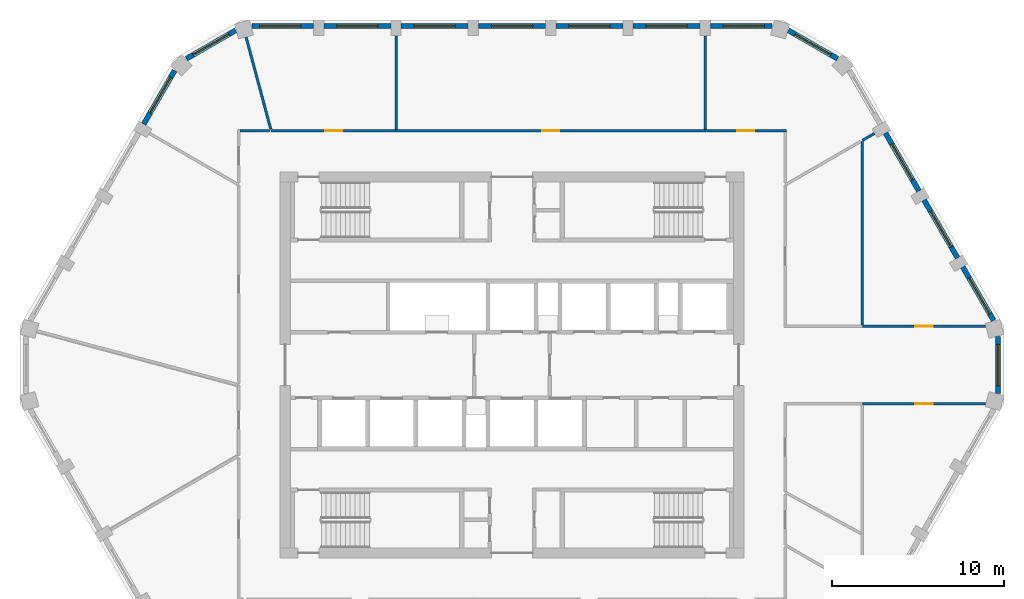
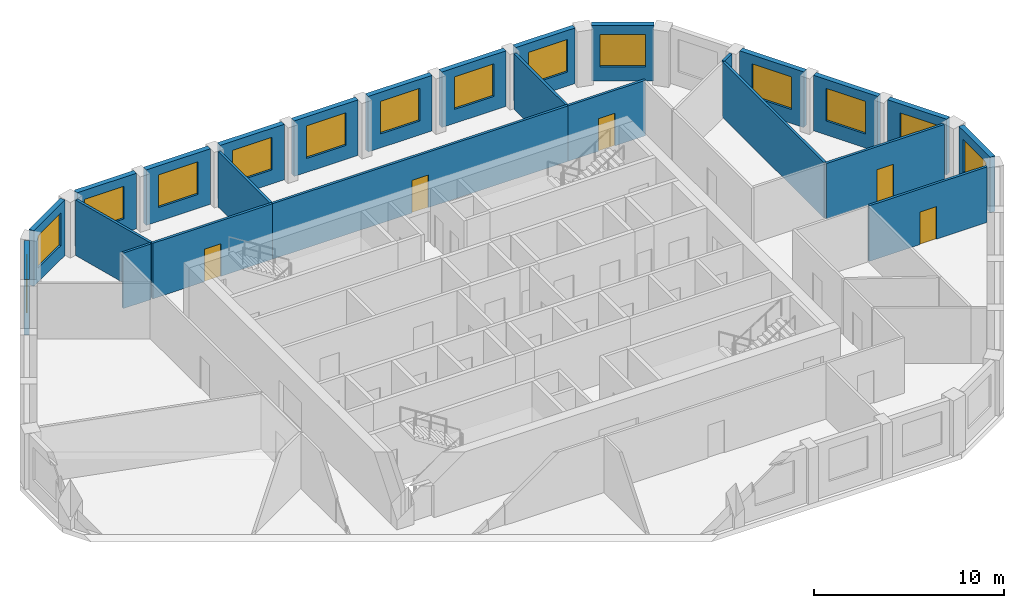
# One storey, part 6 of 9: 25 walls, 14 windows, 5 doors, 19 openings.
"""IFC4 building model written with IfcOpenShell, lengths in metres."""

from ifc_helpers import new_model, si_unit, direction, frame, frame_2d, origin, place, context, subcontext, project, spatial, rectangle, extrude, material, layer, layer_set, type_object, element, fill, save


model = new_model("IFC4")

# Units and contexts
model_context = context("Model", 3, precision=1e-05, world=origin(), true_north=direction((0.0, 1.0)))
body_context = subcontext(model_context, "Body", "Model", "MODEL_VIEW")
ifc_project = project(units=[si_unit("LENGTHUNIT", "METRE"), si_unit("AREAUNIT", "SQUARE_METRE"), si_unit("VOLUMEUNIT", "CUBIC_METRE"), si_unit("PLANEANGLEUNIT", "RADIAN"), si_unit("MASSUNIT", "GRAM", prefix="KILO")], contexts=[model_context])

# Site, building, storey
site_placement = place(None, origin())
site = spatial("IfcSite", under=ifc_project, at=site_placement, CompositionType="ELEMENT")
building_placement = place(site_placement, origin())
building = spatial("IfcBuilding", under=site, at=building_placement, Name="Dhurran Vertical Campus", CompositionType="ELEMENT")
storey_placement = place(building_placement, frame((0.0, 0.0, 290.39990234375)))
storey = spatial("IfcBuildingStorey", under=building, at=storey_placement, Name="L72", CompositionType="ELEMENT", Elevation=290.39990234375)

# Wall, opening, window
ifc_material_1 = material(Name="Precast concrete C50/60", Category="concrete")
ifc_layer_1 = layer(ifc_material_1, 0.300048828125)
ifc_layer_set_1 = layer_set([ifc_layer_1], Name="Precast concrete C50/60")
wall_type_1 = type_object("IfcWallType", Name="Precast spandrel wall 300", PredefinedType="SOLIDWALL", material=ifc_layer_set_1)
wall_1_placement = place(storey_placement, frame((28.297119140625, -1.64990234375, 0.0), z_axis=(0.0, 0.0, 1.0), x_axis=(0.0, 1.0, 0.0)))
wall_1 = element("IfcWall", 1, at=wall_1_placement, inside=storey, type_object=wall_type_1, Name="EW1 L72.12", PredefinedType="SOLIDWALL", context=body_context, shape_type="SweptSolid", body=[
    extrude(rectangle(XDim=3.2998046875, YDim=0.300048828125, at=frame_2d((1.64990234375, 0.0))), origin(), (0.0, 0.0, 1.0), 3.5751953125),
])
opening_1_placement = place(wall_1_placement, frame((0.449951171875, 0.0, 0.89990234375)))
opening_1 = element("IfcOpeningElement", 2, at=opening_1_placement, cuts=wall_1, Name="Opening WT1", PredefinedType="OPENING", context=body_context, shape_type="SweptSolid", body=[
    extrude(rectangle(XDim=2.39990234375, YDim=2.10009765625, at=frame_2d((1.199951171875, 1.050048828125))), frame((0.0, 0.159912109375, 0.0), z_axis=(0.0, -1.0, 0.0), x_axis=(1.0, 0.0, 0.0)), (0.0, 0.0, 1.0), 0.320068359375),
])
ifc_material_2 = material(Name="Aluminium frame with solar-control glass", Category="aluminium")
window_type = type_object("IfcWindowType", Name="Punched window 2400 x 2100", PartitioningType="SINGLE_PANEL", PredefinedType="WINDOW", material=ifc_material_2)
window_1_placement = place(opening_1_placement, origin())
window_1 = element("IfcWindow", 3, at=window_1_placement, inside=storey, type_object=window_type, Name="WT1 L72.12", OverallHeight=2.10009765625, OverallWidth=2.39990234375, PartitioningType="SINGLE_PANEL", PredefinedType="WINDOW", context=body_context, shape_type="SweptSolid", body=[
    extrude(rectangle(XDim=2.39990234375, YDim=2.10009765625, at=frame_2d((1.199951171875, 1.050048828125))), frame((0.0, 0.030029296875, 0.0), z_axis=(0.0, -1.0, 0.0), x_axis=(1.0, 0.0, 0.0)), (0.0, 0.0, 1.0), 0.06005859375),
])
fill(opening_1, window_1)

wall_2_placement = place(storey_placement, frame((28.0439453125, 2.5947265625, 0.0), z_axis=(0.0, 0.0, 1.0), x_axis=(-0.499969057507, 0.866043267704, 0.0)))
wall_2 = element("IfcWall", 4, at=wall_2_placement, inside=storey, type_object=wall_type_1, Name="EW1 L72.13", PredefinedType="SOLIDWALL", context=body_context, shape_type="SweptSolid", body=[
    extrude(rectangle(XDim=3.599365234375, YDim=0.300048828125, at=frame_2d((1.7998046875, 0.0))), origin(), (0.0, 0.0, 1.0), 3.5751953125),
])
opening_2_placement = place(wall_2_placement, frame((0.449951171875, 0.0, 0.89990234375)))
opening_2 = element("IfcOpeningElement", 5, at=opening_2_placement, cuts=wall_2, Name="Opening WT1", PredefinedType="OPENING", context=body_context, shape_type="SweptSolid", body=[
    extrude(rectangle(XDim=2.39990234375, YDim=2.10009765625, at=frame_2d((1.199951171875, 1.050048828125))), frame((0.0, 0.159912109375, 0.0), z_axis=(0.0, -1.0, 0.0), x_axis=(1.0, 0.0, 0.0)), (0.0, 0.0, 1.0), 0.320068359375),
])
window_2_placement = place(opening_2_placement, origin())
window_2 = element("IfcWindow", 6, at=window_2_placement, inside=storey, type_object=window_type, Name="WT1 L72.13", OverallHeight=2.10009765625, OverallWidth=2.39990234375, PartitioningType="SINGLE_PANEL", PredefinedType="WINDOW", context=body_context, shape_type="SweptSolid", body=[
    extrude(rectangle(XDim=2.39990234375, YDim=2.10009765625, at=frame_2d((1.199951171875, 1.050048828125))), frame((0.0, 0.030029296875, 0.0), z_axis=(0.0, -1.0, 0.0), x_axis=(1.0, 0.0, 0.0)), (0.0, 0.0, 1.0), 0.06005859375),
])
fill(opening_2, window_2)

wall_3_placement = place(storey_placement, frame((25.94384765625, 6.232421875, 0.0), z_axis=(0.0, 0.0, 1.0), x_axis=(-0.500011542666, 0.866018739521, 0.0)))
wall_3 = element("IfcWall", 7, at=wall_3_placement, inside=storey, type_object=wall_type_1, Name="EW1 L72.14", PredefinedType="SOLIDWALL", context=body_context, shape_type="SweptSolid", body=[
    extrude(rectangle(XDim=3.89892578125, YDim=0.300048828125, at=frame_2d((1.949462890625, 0.0))), origin(), (0.0, 0.0, 1.0), 3.5751953125),
])
opening_3_placement = place(wall_3_placement, frame((0.74951171875, 0.0, 0.89990234375)))
opening_3 = element("IfcOpeningElement", 8, at=opening_3_placement, cuts=wall_3, Name="Opening WT1", PredefinedType="OPENING", context=body_context, shape_type="SweptSolid", body=[
    extrude(rectangle(XDim=2.39990234375, YDim=2.10009765625, at=frame_2d((1.199951171875, 1.050048828125))), frame((0.0, 0.159912109375, 0.0), z_axis=(0.0, -1.0, 0.0), x_axis=(1.0, 0.0, 0.0)), (0.0, 0.0, 1.0), 0.320068359375),
])
window_3_placement = place(opening_3_placement, origin())
window_3 = element("IfcWindow", 9, at=window_3_placement, inside=storey, type_object=window_type, Name="WT1 L72.14", OverallHeight=2.10009765625, OverallWidth=2.39990234375, PartitioningType="SINGLE_PANEL", PredefinedType="WINDOW", context=body_context, shape_type="SweptSolid", body=[
    extrude(rectangle(XDim=2.39990234375, YDim=2.10009765625, at=frame_2d((1.199951171875, 1.050048828125))), frame((0.0, 0.030029296875, 0.0), z_axis=(0.0, -1.0, 0.0), x_axis=(1.0, 0.0, 0.0)), (0.0, 0.0, 1.0), 0.06005859375),
])
fill(opening_3, window_3)

wall_4_placement = place(storey_placement, frame((23.69384765625, 10.12939453125, 0.0), z_axis=(0.0, 0.0, 1.0), x_axis=(-0.499984428715, 0.866034393683, 0.0)))
wall_4 = element("IfcWall", 10, at=wall_4_placement, inside=storey, type_object=wall_type_1, Name="EW1 L72.15", PredefinedType="SOLIDWALL", context=body_context, shape_type="SweptSolid", body=[
    extrude(rectangle(XDim=3.89892578125, YDim=0.300048828125, at=frame_2d((1.949462890625, 0.0))), origin(), (0.0, 0.0, 1.0), 3.5751953125),
])
opening_4_placement = place(wall_4_placement, frame((0.74951171875, 0.0, 0.89990234375)))
opening_4 = element("IfcOpeningElement", 11, at=opening_4_placement, cuts=wall_4, Name="Opening WT1", PredefinedType="OPENING", context=body_context, shape_type="SweptSolid", body=[
    extrude(rectangle(XDim=2.39990234375, YDim=2.10009765625, at=frame_2d((1.199951171875, 1.050048828125))), frame((0.0, 0.159912109375, 0.0), z_axis=(0.0, -1.0, 0.0), x_axis=(1.0, 0.0, 0.0)), (0.0, 0.0, 1.0), 0.320068359375),
])
window_4_placement = place(opening_4_placement, origin())
window_4 = element("IfcWindow", 12, at=window_4_placement, inside=storey, type_object=window_type, Name="WT1 L72.15", OverallHeight=2.10009765625, OverallWidth=2.39990234375, PartitioningType="SINGLE_PANEL", PredefinedType="WINDOW", context=body_context, shape_type="SweptSolid", body=[
    extrude(rectangle(XDim=2.39990234375, YDim=2.10009765625, at=frame_2d((1.199951171875, 1.050048828125))), frame((0.0, 0.030029296875, 0.0), z_axis=(0.0, -1.0, 0.0), x_axis=(1.0, 0.0, 0.0)), (0.0, 0.0, 1.0), 0.06005859375),
])
fill(opening_4, window_4)

wall_5_placement = place(storey_placement, frame((18.952392578125, 17.83544921875, 0.0), z_axis=(0.0, 0.0, 1.0), x_axis=(-0.866021716278, 0.500006386895, 0.0)))
wall_5 = element("IfcWall", 13, at=wall_5_placement, inside=storey, type_object=wall_type_1, Name="EW1 L72.17", PredefinedType="SOLIDWALL", context=body_context, shape_type="SweptSolid", body=[
    extrude(rectangle(XDim=3.2998046875, YDim=0.300048828125, at=frame_2d((1.64990234375, 0.0))), origin(), (0.0, 0.0, 1.0), 3.5751953125),
])
opening_5_placement = place(wall_5_placement, frame((0.449951171875, 0.0, 0.89990234375)))
opening_5 = element("IfcOpeningElement", 14, at=opening_5_placement, cuts=wall_5, Name="Opening WT1", PredefinedType="OPENING", context=body_context, shape_type="SweptSolid", body=[
    extrude(rectangle(XDim=2.39990234375, YDim=2.10009765625, at=frame_2d((1.199951171875, 1.050048828125))), frame((0.0, 0.159912109375, 0.0), z_axis=(0.0, -1.0, 0.0), x_axis=(1.0, 0.0, 0.0)), (0.0, 0.0, 1.0), 0.320068359375),
])
window_5_placement = place(opening_5_placement, origin())
window_5 = element("IfcWindow", 15, at=window_5_placement, inside=storey, type_object=window_type, Name="WT1 L72.17", OverallHeight=2.10009765625, OverallWidth=2.39990234375, PartitioningType="SINGLE_PANEL", PredefinedType="WINDOW", context=body_context, shape_type="SweptSolid", body=[
    extrude(rectangle(XDim=2.39990234375, YDim=2.10009765625, at=frame_2d((1.199951171875, 1.050048828125))), frame((0.0, 0.030029296875, 0.0), z_axis=(0.0, -1.0, 0.0), x_axis=(1.0, 0.0, 0.0)), (0.0, 0.0, 1.0), 0.06005859375),
])
fill(opening_5, window_5)

wall_6_placement = place(storey_placement, frame((15.14990234375, 19.738525390625, 0.0), z_axis=(0.0, 0.0, 1.0), x_axis=(-1.0, 0.0, 0.0)))
wall_6 = element("IfcWall", 16, at=wall_6_placement, inside=storey, type_object=wall_type_1, Name="EW1 L72.18", PredefinedType="SOLIDWALL", context=body_context, shape_type="SweptSolid", body=[
    extrude(rectangle(XDim=3.599365234375, YDim=0.300048828125, at=frame_2d((1.7998046875, 0.0))), origin(), (0.0, 0.0, 1.0), 3.5751953125),
])
opening_6_placement = place(wall_6_placement, frame((0.449951171875, 0.0, 0.89990234375)))
opening_6 = element("IfcOpeningElement", 17, at=opening_6_placement, cuts=wall_6, Name="Opening WT1", PredefinedType="OPENING", context=body_context, shape_type="SweptSolid", body=[
    extrude(rectangle(XDim=2.39990234375, YDim=2.10009765625, at=frame_2d((1.199951171875, 1.050048828125))), frame((0.0, 0.159912109375, 0.0), z_axis=(0.0, -1.0, 0.0), x_axis=(1.0, 0.0, 0.0)), (0.0, 0.0, 1.0), 0.320068359375),
])
window_6_placement = place(opening_6_placement, origin())
window_6 = element("IfcWindow", 18, at=window_6_placement, inside=storey, type_object=window_type, Name="WT1 L72.18", OverallHeight=2.10009765625, OverallWidth=2.39990234375, PartitioningType="SINGLE_PANEL", PredefinedType="WINDOW", context=body_context, shape_type="SweptSolid", body=[
    extrude(rectangle(XDim=2.39990234375, YDim=2.10009765625, at=frame_2d((1.199951171875, 1.050048828125))), frame((0.0, 0.030029296875, 0.0), z_axis=(0.0, -1.0, 0.0), x_axis=(1.0, 0.0, 0.0)), (0.0, 0.0, 1.0), 0.06005859375),
])
fill(opening_6, window_6)

wall_7_placement = place(storey_placement, frame((10.949462890625, 19.738525390625, 0.0), z_axis=(0.0, 0.0, 1.0), x_axis=(-1.0, 0.0, 0.0)))
wall_7 = element("IfcWall", 19, at=wall_7_placement, inside=storey, type_object=wall_type_1, Name="EW1 L72.19", PredefinedType="SOLIDWALL", context=body_context, shape_type="SweptSolid", body=[
    extrude(rectangle(XDim=3.89892578125, YDim=0.300048828125, at=frame_2d((1.949462890625, 0.0))), origin(), (0.0, 0.0, 1.0), 3.5751953125),
])
opening_7_placement = place(wall_7_placement, frame((0.74951171875, 0.0, 0.89990234375)))
opening_7 = element("IfcOpeningElement", 20, at=opening_7_placement, cuts=wall_7, Name="Opening WT1", PredefinedType="OPENING", context=body_context, shape_type="SweptSolid", body=[
    extrude(rectangle(XDim=2.39990234375, YDim=2.10009765625, at=frame_2d((1.199951171875, 1.050048828125))), frame((0.0, 0.159912109375, 0.0), z_axis=(0.0, -1.0, 0.0), x_axis=(1.0, 0.0, 0.0)), (0.0, 0.0, 1.0), 0.320068359375),
])
window_7_placement = place(opening_7_placement, origin())
window_7 = element("IfcWindow", 21, at=window_7_placement, inside=storey, type_object=window_type, Name="WT1 L72.19", OverallHeight=2.10009765625, OverallWidth=2.39990234375, PartitioningType="SINGLE_PANEL", PredefinedType="WINDOW", context=body_context, shape_type="SweptSolid", body=[
    extrude(rectangle(XDim=2.39990234375, YDim=2.10009765625, at=frame_2d((1.199951171875, 1.050048828125))), frame((0.0, 0.030029296875, 0.0), z_axis=(0.0, -1.0, 0.0), x_axis=(1.0, 0.0, 0.0)), (0.0, 0.0, 1.0), 0.06005859375),
])
fill(opening_7, window_7)

wall_8_placement = place(storey_placement, frame((6.449462890625, 19.738525390625, 0.0), z_axis=(0.0, 0.0, 1.0), x_axis=(-1.0, 0.0, 0.0)))
wall_8 = element("IfcWall", 22, at=wall_8_placement, inside=storey, type_object=wall_type_1, Name="EW1 L72.20", PredefinedType="SOLIDWALL", context=body_context, shape_type="SweptSolid", body=[
    extrude(rectangle(XDim=3.89892578125, YDim=0.300048828125, at=frame_2d((1.949462890625, 0.0))), origin(), (0.0, 0.0, 1.0), 3.5751953125),
])
opening_8_placement = place(wall_8_placement, frame((0.74951171875, 0.0, 0.89990234375)))
opening_8 = element("IfcOpeningElement", 23, at=opening_8_placement, cuts=wall_8, Name="Opening WT1", PredefinedType="OPENING", context=body_context, shape_type="SweptSolid", body=[
    extrude(rectangle(XDim=2.39990234375, YDim=2.10009765625, at=frame_2d((1.199951171875, 1.050048828125))), frame((0.0, 0.159912109375, 0.0), z_axis=(0.0, -1.0, 0.0), x_axis=(1.0, 0.0, 0.0)), (0.0, 0.0, 1.0), 0.320068359375),
])
window_8_placement = place(opening_8_placement, origin())
window_8 = element("IfcWindow", 24, at=window_8_placement, inside=storey, type_object=window_type, Name="WT1 L72.20", OverallHeight=2.10009765625, OverallWidth=2.39990234375, PartitioningType="SINGLE_PANEL", PredefinedType="WINDOW", context=body_context, shape_type="SweptSolid", body=[
    extrude(rectangle(XDim=2.39990234375, YDim=2.10009765625, at=frame_2d((1.199951171875, 1.050048828125))), frame((0.0, 0.030029296875, 0.0), z_axis=(0.0, -1.0, 0.0), x_axis=(1.0, 0.0, 0.0)), (0.0, 0.0, 1.0), 0.06005859375),
])
fill(opening_8, window_8)

wall_9_placement = place(storey_placement, frame((1.949462890625, 19.738525390625, 0.0), z_axis=(0.0, 0.0, 1.0), x_axis=(-1.0, 0.0, 0.0)))
wall_9 = element("IfcWall", 25, at=wall_9_placement, inside=storey, type_object=wall_type_1, Name="EW1 L72.21", PredefinedType="SOLIDWALL", context=body_context, shape_type="SweptSolid", body=[
    extrude(rectangle(XDim=3.89892578125, YDim=0.300048828125, at=frame_2d((1.949462890625, 0.0))), origin(), (0.0, 0.0, 1.0), 3.5751953125),
])
opening_9_placement = place(wall_9_placement, frame((0.74951171875, 0.0, 0.89990234375)))
opening_9 = element("IfcOpeningElement", 26, at=opening_9_placement, cuts=wall_9, Name="Opening WT1", PredefinedType="OPENING", context=body_context, shape_type="SweptSolid", body=[
    extrude(rectangle(XDim=2.39990234375, YDim=2.10009765625, at=frame_2d((1.199951171875, 1.050048828125))), frame((0.0, 0.159912109375, 0.0), z_axis=(0.0, -1.0, 0.0), x_axis=(1.0, 0.0, 0.0)), (0.0, 0.0, 1.0), 0.320068359375),
])
window_9_placement = place(opening_9_placement, origin())
window_9 = element("IfcWindow", 27, at=window_9_placement, inside=storey, type_object=window_type, Name="WT1 L72.21", OverallHeight=2.10009765625, OverallWidth=2.39990234375, PartitioningType="SINGLE_PANEL", PredefinedType="WINDOW", context=body_context, shape_type="SweptSolid", body=[
    extrude(rectangle(XDim=2.39990234375, YDim=2.10009765625, at=frame_2d((1.199951171875, 1.050048828125))), frame((0.0, 0.030029296875, 0.0), z_axis=(0.0, -1.0, 0.0), x_axis=(1.0, 0.0, 0.0)), (0.0, 0.0, 1.0), 0.06005859375),
])
fill(opening_9, window_9)

wall_10_placement = place(storey_placement, frame((-2.550537109375, 19.738525390625, 0.0), z_axis=(0.0, 0.0, 1.0), x_axis=(-1.0, 0.0, 0.0)))
wall_10 = element("IfcWall", 28, at=wall_10_placement, inside=storey, type_object=wall_type_1, Name="EW1 L72.22", PredefinedType="SOLIDWALL", context=body_context, shape_type="SweptSolid", body=[
    extrude(rectangle(XDim=3.89892578125, YDim=0.300048828125, at=frame_2d((1.949462890625, 0.0))), origin(), (0.0, 0.0, 1.0), 3.5751953125),
])
opening_10_placement = place(wall_10_placement, frame((0.74951171875, 0.0, 0.89990234375)))
opening_10 = element("IfcOpeningElement", 29, at=opening_10_placement, cuts=wall_10, Name="Opening WT1", PredefinedType="OPENING", context=body_context, shape_type="SweptSolid", body=[
    extrude(rectangle(XDim=2.39990234375, YDim=2.10009765625, at=frame_2d((1.199951171875, 1.050048828125))), frame((0.0, 0.159912109375, 0.0), z_axis=(0.0, -1.0, 0.0), x_axis=(1.0, 0.0, 0.0)), (0.0, 0.0, 1.0), 0.320068359375),
])
window_10_placement = place(opening_10_placement, origin())
window_10 = element("IfcWindow", 30, at=window_10_placement, inside=storey, type_object=window_type, Name="WT1 L72.22", OverallHeight=2.10009765625, OverallWidth=2.39990234375, PartitioningType="SINGLE_PANEL", PredefinedType="WINDOW", context=body_context, shape_type="SweptSolid", body=[
    extrude(rectangle(XDim=2.39990234375, YDim=2.10009765625, at=frame_2d((1.199951171875, 1.050048828125))), frame((0.0, 0.030029296875, 0.0), z_axis=(0.0, -1.0, 0.0), x_axis=(1.0, 0.0, 0.0)), (0.0, 0.0, 1.0), 0.06005859375),
])
fill(opening_10, window_10)

wall_11_placement = place(storey_placement, frame((-7.050537109375, 19.738525390625, 0.0), z_axis=(0.0, 0.0, 1.0), x_axis=(-1.0, 0.0, 0.0)))
wall_11 = element("IfcWall", 31, at=wall_11_placement, inside=storey, type_object=wall_type_1, Name="EW1 L72.23", PredefinedType="SOLIDWALL", context=body_context, shape_type="SweptSolid", body=[
    extrude(rectangle(XDim=3.89892578125, YDim=0.300048828125, at=frame_2d((1.949462890625, 0.0))), origin(), (0.0, 0.0, 1.0), 3.5751953125),
])
opening_11_placement = place(wall_11_placement, frame((0.74951171875, 0.0, 0.89990234375)))
opening_11 = element("IfcOpeningElement", 32, at=opening_11_placement, cuts=wall_11, Name="Opening WT1", PredefinedType="OPENING", context=body_context, shape_type="SweptSolid", body=[
    extrude(rectangle(XDim=2.39990234375, YDim=2.10009765625, at=frame_2d((1.199951171875, 1.050048828125))), frame((0.0, 0.159912109375, 0.0), z_axis=(0.0, -1.0, 0.0), x_axis=(1.0, 0.0, 0.0)), (0.0, 0.0, 1.0), 0.320068359375),
])
window_11_placement = place(opening_11_placement, origin())
window_11 = element("IfcWindow", 33, at=window_11_placement, inside=storey, type_object=window_type, Name="WT1 L72.23", OverallHeight=2.10009765625, OverallWidth=2.39990234375, PartitioningType="SINGLE_PANEL", PredefinedType="WINDOW", context=body_context, shape_type="SweptSolid", body=[
    extrude(rectangle(XDim=2.39990234375, YDim=2.10009765625, at=frame_2d((1.199951171875, 1.050048828125))), frame((0.0, 0.030029296875, 0.0), z_axis=(0.0, -1.0, 0.0), x_axis=(1.0, 0.0, 0.0)), (0.0, 0.0, 1.0), 0.06005859375),
])
fill(opening_11, window_11)

wall_12_placement = place(storey_placement, frame((-11.550537109375, 19.738525390625, 0.0), z_axis=(0.0, 0.0, 1.0), x_axis=(-1.0, 0.0, 0.0)))
wall_12 = element("IfcWall", 34, at=wall_12_placement, inside=storey, type_object=wall_type_1, Name="EW1 L72.24", PredefinedType="SOLIDWALL", context=body_context, shape_type="SweptSolid", body=[
    extrude(rectangle(XDim=3.599365234375, YDim=0.300048828125, at=frame_2d((1.7998046875, 0.0))), origin(), (0.0, 0.0, 1.0), 3.5751953125),
])
opening_12_placement = place(wall_12_placement, frame((0.74951171875, 0.0, 0.89990234375)))
opening_12 = element("IfcOpeningElement", 35, at=opening_12_placement, cuts=wall_12, Name="Opening WT1", PredefinedType="OPENING", context=body_context, shape_type="SweptSolid", body=[
    extrude(rectangle(XDim=2.39990234375, YDim=2.10009765625, at=frame_2d((1.199951171875, 1.050048828125))), frame((0.0, 0.159912109375, 0.0), z_axis=(0.0, -1.0, 0.0), x_axis=(1.0, 0.0, 0.0)), (0.0, 0.0, 1.0), 0.320068359375),
])
window_12_placement = place(opening_12_placement, origin())
window_12 = element("IfcWindow", 36, at=window_12_placement, inside=storey, type_object=window_type, Name="WT1 L72.24", OverallHeight=2.10009765625, OverallWidth=2.39990234375, PartitioningType="SINGLE_PANEL", PredefinedType="WINDOW", context=body_context, shape_type="SweptSolid", body=[
    extrude(rectangle(XDim=2.39990234375, YDim=2.10009765625, at=frame_2d((1.199951171875, 1.050048828125))), frame((0.0, 0.030029296875, 0.0), z_axis=(0.0, -1.0, 0.0), x_axis=(1.0, 0.0, 0.0)), (0.0, 0.0, 1.0), 0.06005859375),
])
fill(opening_12, window_12)

wall_13_placement = place(storey_placement, frame((-16.0947265625, 19.4853515625, 0.0), z_axis=(0.0, 0.0, 1.0), x_axis=(-0.866021716278, -0.500006386895, 0.0)))
wall_13 = element("IfcWall", 37, at=wall_13_placement, inside=storey, type_object=wall_type_1, Name="EW1 L72.25", PredefinedType="SOLIDWALL", context=body_context, shape_type="SweptSolid", body=[
    extrude(rectangle(XDim=3.2998046875, YDim=0.300048828125, at=frame_2d((1.64990234375, 0.0))), origin(), (0.0, 0.0, 1.0), 3.5751953125),
])
opening_13_placement = place(wall_13_placement, frame((0.449951171875, 0.0, 0.89990234375)))
opening_13 = element("IfcOpeningElement", 38, at=opening_13_placement, cuts=wall_13, Name="Opening WT1", PredefinedType="OPENING", context=body_context, shape_type="SweptSolid", body=[
    extrude(rectangle(XDim=2.39990234375, YDim=2.10009765625, at=frame_2d((1.199951171875, 1.050048828125))), frame((0.0, 0.159912109375, 0.0), z_axis=(0.0, -1.0, 0.0), x_axis=(1.0, 0.0, 0.0)), (0.0, 0.0, 1.0), 0.320068359375),
])
window_13_placement = place(opening_13_placement, origin())
window_13 = element("IfcWindow", 39, at=window_13_placement, inside=storey, type_object=window_type, Name="WT1 L72.25", OverallHeight=2.10009765625, OverallWidth=2.39990234375, PartitioningType="SINGLE_PANEL", PredefinedType="WINDOW", context=body_context, shape_type="SweptSolid", body=[
    extrude(rectangle(XDim=2.39990234375, YDim=2.10009765625, at=frame_2d((1.199951171875, 1.050048828125))), frame((0.0, 0.030029296875, 0.0), z_axis=(0.0, -1.0, 0.0), x_axis=(1.0, 0.0, 0.0)), (0.0, 0.0, 1.0), 0.06005859375),
])
fill(opening_13, window_13)

wall_14_placement = place(storey_placement, frame((-19.64404296875, 17.143798828125, 0.0), z_axis=(0.0, 0.0, 1.0), x_axis=(-0.50001992892, -0.866013897511, 0.0)))
wall_14 = element("IfcWall", 40, at=wall_14_placement, inside=storey, type_object=wall_type_1, Name="EW1 L72.26", PredefinedType="SOLIDWALL", context=body_context, shape_type="SweptSolid", body=[
    extrude(rectangle(XDim=3.599365234375, YDim=0.300048828125, at=frame_2d((1.7998046875, 0.0))), origin(), (0.0, 0.0, 1.0), 3.5751953125),
])
opening_14_placement = place(wall_14_placement, frame((0.449951171875, 0.0, 0.89990234375)))
opening_14 = element("IfcOpeningElement", 41, at=opening_14_placement, cuts=wall_14, Name="Opening WT1", PredefinedType="OPENING", context=body_context, shape_type="SweptSolid", body=[
    extrude(rectangle(XDim=2.39990234375, YDim=2.10009765625, at=frame_2d((1.199951171875, 1.050048828125))), frame((0.0, 0.159912109375, 0.0), z_axis=(0.0, -1.0, 0.0), x_axis=(1.0, 0.0, 0.0)), (0.0, 0.0, 1.0), 0.320068359375),
])
window_14_placement = place(opening_14_placement, origin())
window_14 = element("IfcWindow", 42, at=window_14_placement, inside=storey, type_object=window_type, Name="WT1 L72.26", OverallHeight=2.10009765625, OverallWidth=2.39990234375, PartitioningType="SINGLE_PANEL", PredefinedType="WINDOW", context=body_context, shape_type="SweptSolid", body=[
    extrude(rectangle(XDim=2.39990234375, YDim=2.10009765625, at=frame_2d((1.199951171875, 1.050048828125))), frame((0.0, 0.030029296875, 0.0), z_axis=(0.0, -1.0, 0.0), x_axis=(1.0, 0.0, 0.0)), (0.0, 0.0, 1.0), 0.06005859375),
])
fill(opening_14, window_14)

# Wall
ifc_material_3 = material(Name="Gypsum board corridor wall on steel studs", Category="steel")
ifc_layer_2 = layer(ifc_material_3, 0.14990234375)
ifc_layer_set_2 = layer_set([ifc_layer_2], Name="Gypsum board corridor wall on steel studs")
wall_type_2 = type_object("IfcWallType", Name="fl-CW-150 corridor wall", PredefinedType="PARTITIONING", material=ifc_layer_set_2)
wall_15_placement = place(storey_placement, frame((-14.1201171875, 13.64990234375, 0.0), z_axis=(0.0, 0.0, 1.0), x_axis=(-1.0, 0.0, 0.0)))
element("IfcWall", 43, at=wall_15_placement, inside=storey, type_object=wall_type_2, Name="Partition 72-10", PredefinedType="PARTITIONING", context=body_context, shape_type="SweptSolid", body=[
    extrude(rectangle(XDim=1.704833984375, YDim=0.14990234375, at=frame_2d((0.8525390625, 0.0))), origin(), (0.0, 0.0, 1.0), 3.5751953125),
])

# Wall, opening, door
wall_16_placement = place(storey_placement, frame((-6.75, 13.64990234375, 0.0), z_axis=(0.0, 0.0, 1.0), x_axis=(-1.0, 0.0, 0.0)))
wall_16 = element("IfcWall", 44, at=wall_16_placement, inside=storey, type_object=wall_type_2, Name="Partition 72-13", PredefinedType="PARTITIONING", context=body_context, shape_type="SweptSolid", body=[
    extrude(rectangle(XDim=7.27490234375, YDim=0.14990234375, at=frame_2d((3.637451171875, 0.0))), origin(), (0.0, 0.0, 1.0), 3.5751953125),
])
opening_15_placement = place(wall_16_placement, frame((3.137451171875, 0.0, 0.0)))
opening_15 = element("IfcOpeningElement", 45, at=opening_15_placement, cuts=wall_16, Name="Opening T21.05", PredefinedType="OPENING", context=body_context, shape_type="SweptSolid", body=[
    extrude(rectangle(XDim=1.0, YDim=2.10009765625, at=frame_2d((0.5, 1.050048828125))), frame((0.0, 0.0849609375, 0.0), z_axis=(0.0, -1.0, 0.0), x_axis=(1.0, 0.0, 0.0)), (0.0, 0.0, 1.0), 0.169921875),
])
ifc_material_4 = material(Name="Solid-core timber door set, fire-rated", Category="wood")
door_type = type_object("IfcDoorType", Name="fl-D-1000x2100", OperationType="SINGLE_SWING_LEFT", PredefinedType="DOOR", material=ifc_material_4)
door_1_placement = place(opening_15_placement, origin())
door_1 = element("IfcDoor", 46, at=door_1_placement, inside=storey, type_object=door_type, Name="Door 72.05", OperationType="SINGLE_SWING_RIGHT", OverallHeight=2.10009765625, OverallWidth=1.0, PredefinedType="DOOR", context=body_context, shape_type="SweptSolid", body=[
    extrude(rectangle(XDim=1.0, YDim=2.10009765625, at=frame_2d((0.5, 1.050048828125))), frame((0.0, 0.02490234375, 0.0), z_axis=(0.0, -1.0, 0.0), x_axis=(1.0, 0.0, 0.0)), (0.0, 0.0, 1.0), 0.050048828125),
])
fill(opening_15, door_1)

wall_17_placement = place(storey_placement, frame((11.25, 13.64990234375, 0.0), z_axis=(0.0, 0.0, 1.0), x_axis=(-1.0, 0.0, 0.0)))
wall_17 = element("IfcWall", 47, at=wall_17_placement, inside=storey, type_object=wall_type_2, Name="Partition 72-15", PredefinedType="PARTITIONING", context=body_context, shape_type="SweptSolid", body=[
    extrude(rectangle(XDim=18.0, YDim=0.14990234375, at=frame_2d((9.0, 0.0))), origin(), (0.0, 0.0, 1.0), 3.5751953125),
])
opening_16_placement = place(wall_17_placement, frame((8.5, 0.0, 0.0)))
opening_16 = element("IfcOpeningElement", 48, at=opening_16_placement, cuts=wall_17, Name="Opening T21.07", PredefinedType="OPENING", context=body_context, shape_type="SweptSolid", body=[
    extrude(rectangle(XDim=1.0, YDim=2.10009765625, at=frame_2d((0.5, 1.050048828125))), frame((0.0, 0.0849609375, 0.0), z_axis=(0.0, -1.0, 0.0), x_axis=(1.0, 0.0, 0.0)), (0.0, 0.0, 1.0), 0.169921875),
])
door_2_placement = place(opening_16_placement, origin())
door_2 = element("IfcDoor", 49, at=door_2_placement, inside=storey, type_object=door_type, Name="Door 72.07", OperationType="SINGLE_SWING_RIGHT", OverallHeight=2.10009765625, OverallWidth=1.0, PredefinedType="DOOR", context=body_context, shape_type="SweptSolid", body=[
    extrude(rectangle(XDim=1.0, YDim=2.10009765625, at=frame_2d((0.5, 1.050048828125))), frame((0.0, 0.02490234375, 0.0), z_axis=(0.0, -1.0, 0.0), x_axis=(1.0, 0.0, 0.0)), (0.0, 0.0, 1.0), 0.050048828125),
])
fill(opening_16, door_2)

wall_18_placement = place(storey_placement, frame((15.97509765625, 13.64990234375, 0.0), z_axis=(0.0, 0.0, 1.0), x_axis=(-1.0, 0.0, 0.0)))
wall_18 = element("IfcWall", 50, at=wall_18_placement, inside=storey, type_object=wall_type_2, Name="Partition 72-21", PredefinedType="PARTITIONING", context=body_context, shape_type="SweptSolid", body=[
    extrude(rectangle(XDim=4.72509765625, YDim=0.14990234375, at=frame_2d((2.362548828125, 0.0))), origin(), (0.0, 0.0, 1.0), 3.5751953125),
])
opening_17_placement = place(wall_18_placement, frame((1.862548828125, 0.0, 0.0)))
opening_17 = element("IfcOpeningElement", 51, at=opening_17_placement, cuts=wall_18, Name="Opening T21.10", PredefinedType="OPENING", context=body_context, shape_type="SweptSolid", body=[
    extrude(rectangle(XDim=1.0, YDim=2.10009765625, at=frame_2d((0.5, 1.050048828125))), frame((0.0, 0.0849609375, 0.0), z_axis=(0.0, -1.0, 0.0), x_axis=(1.0, 0.0, 0.0)), (0.0, 0.0, 1.0), 0.169921875),
])
door_3_placement = place(opening_17_placement, origin())
door_3 = element("IfcDoor", 52, at=door_3_placement, inside=storey, type_object=door_type, Name="Door 72.10", OperationType="SINGLE_SWING_RIGHT", OverallHeight=2.10009765625, OverallWidth=1.0, PredefinedType="DOOR", context=body_context, shape_type="SweptSolid", body=[
    extrude(rectangle(XDim=1.0, YDim=2.10009765625, at=frame_2d((0.5, 1.050048828125))), frame((0.0, 0.02490234375, 0.0), z_axis=(0.0, -1.0, 0.0), x_axis=(1.0, 0.0, 0.0)), (0.0, 0.0, 1.0), 0.050048828125),
])
fill(opening_17, door_3)

wall_19_placement = place(storey_placement, frame((27.56982421875, -2.25, 0.0), z_axis=(0.0, 0.0, 1.0), x_axis=(-1.0, 0.0, 0.0)))
wall_19 = element("IfcWall", 53, at=wall_19_placement, inside=storey, type_object=wall_type_2, Name="Partition 72-35", PredefinedType="PARTITIONING", context=body_context, shape_type="SweptSolid", body=[
    extrude(rectangle(XDim=7.169921875, YDim=0.14990234375, at=frame_2d((3.5849609375, 0.0))), origin(), (0.0, 0.0, 1.0), 3.5751953125),
])
opening_18_placement = place(wall_19_placement, frame((3.0849609375, 0.0, 0.0)))
opening_18 = element("IfcOpeningElement", 54, at=opening_18_placement, cuts=wall_19, Name="Opening T21.14", PredefinedType="OPENING", context=body_context, shape_type="SweptSolid", body=[
    extrude(rectangle(XDim=1.0, YDim=2.10009765625, at=frame_2d((0.5, 1.050048828125))), frame((0.0, 0.0849609375, 0.0), z_axis=(0.0, -1.0, 0.0), x_axis=(1.0, 0.0, 0.0)), (0.0, 0.0, 1.0), 0.169921875),
])
door_4_placement = place(opening_18_placement, origin())
door_4 = element("IfcDoor", 55, at=door_4_placement, inside=storey, type_object=door_type, Name="Door 72.14", OperationType="SINGLE_SWING_LEFT", OverallHeight=2.10009765625, OverallWidth=1.0, PredefinedType="DOOR", context=body_context, shape_type="SweptSolid", body=[
    extrude(rectangle(XDim=1.0, YDim=2.10009765625, at=frame_2d((0.5, 1.050048828125))), frame((0.0, 0.02490234375, 0.0), z_axis=(0.0, -1.0, 0.0), x_axis=(1.0, 0.0, 0.0)), (0.0, 0.0, 1.0), 0.050048828125),
])
fill(opening_18, door_4)

wall_20_placement = place(storey_placement, frame((20.39990234375, 2.25, 0.0), z_axis=(0.0, 0.0, 1.0), x_axis=(1.0, 0.0, 0.0)))
wall_20 = element("IfcWall", 56, at=wall_20_placement, inside=storey, type_object=wall_type_2, Name="Partition 72-37", PredefinedType="PARTITIONING", context=body_context, shape_type="SweptSolid", body=[
    extrude(rectangle(XDim=7.169921875, YDim=0.14990234375, at=frame_2d((3.5849609375, 0.0))), origin(), (0.0, 0.0, 1.0), 3.5751953125),
])
opening_19_placement = place(wall_20_placement, frame((3.0849609375, 0.0, 0.0)))
opening_19 = element("IfcOpeningElement", 57, at=opening_19_placement, cuts=wall_20, Name="Opening T21.15", PredefinedType="OPENING", context=body_context, shape_type="SweptSolid", body=[
    extrude(rectangle(XDim=1.0, YDim=2.10009765625, at=frame_2d((0.5, 1.050048828125))), frame((0.0, 0.0849609375, 0.0), z_axis=(0.0, -1.0, 0.0), x_axis=(1.0, 0.0, 0.0)), (0.0, 0.0, 1.0), 0.169921875),
])
door_5_placement = place(opening_19_placement, origin())
door_5 = element("IfcDoor", 58, at=door_5_placement, inside=storey, type_object=door_type, Name="Door 72.15", OperationType="SINGLE_SWING_RIGHT", OverallHeight=2.10009765625, OverallWidth=1.0, PredefinedType="DOOR", context=body_context, shape_type="SweptSolid", body=[
    extrude(rectangle(XDim=1.0, YDim=2.10009765625, at=frame_2d((0.5, 1.050048828125))), frame((0.0, 0.02490234375, 0.0), z_axis=(0.0, -1.0, 0.0), x_axis=(1.0, 0.0, 0.0)), (0.0, 0.0, 1.0), 0.050048828125),
])
fill(opening_19, door_5)

# Walls
ifc_material_5 = material(Name="Gypsum board partition on steel studs", Category="steel")
ifc_layer_3 = layer(ifc_material_5, 0.14990234375)
ifc_layer_set_3 = layer_set([ifc_layer_3], Name="Gypsum board partition on steel studs")
wall_type_3 = type_object("IfcWallType", Name="fl-PW-150 fixed partition", PredefinedType="PARTITIONING", material=ifc_layer_set_3)
wall_21_placement = place(storey_placement, frame((-15.481201171875, 19.083251953125, 0.0), z_axis=(0.0, 0.0, 1.0), x_axis=(0.25887533963, -0.965910740458, 0.0)))
element("IfcWall", 59, at=wall_21_placement, inside=storey, type_object=wall_type_3, Name="Partition 72-11", PredefinedType="PARTITIONING", context=body_context, shape_type="SweptSolid", body=[
    extrude(rectangle(XDim=5.550048828125, YDim=0.14990234375, at=frame_2d((2.77490234375, 0.0))), origin(), (0.0, 0.0, 1.0), 3.5751953125),
])
for number, where, z_axis, x_axis, name in (
    (60, (-6.75, 19.16845703125, 0.0), (0.0, 0.0, 1.0), (0.0, -1.0, 0.0), "Partition 72-14"),
    (61, (11.25, 19.16845703125, 0.0), (0.0, 0.0, 1.0), (0.0, -1.0, 0.0), "Partition 72-20"),
):
    element("IfcWall", number, at=place(storey_placement, frame(where, z_axis=z_axis, x_axis=x_axis)), inside=storey, type_object=wall_type_3, Name=name, PredefinedType="PARTITIONING", context=body_context, shape_type="SweptSolid", body=[
        extrude(rectangle(XDim=5.443359375, YDim=0.14990234375, at=frame_2d((2.7216796875, 0.0))), origin(), (0.0, 0.0, 1.0), 3.5751953125),
    ])
wall_22_placement = place(storey_placement, frame((20.39990234375, 13.001953125, 0.0), z_axis=(0.0, 0.0, 1.0), x_axis=(0.0, -1.0, 0.0)))
element("IfcWall", 62, at=wall_22_placement, inside=storey, type_object=wall_type_3, Name="Partition 72-36", PredefinedType="PARTITIONING", context=body_context, shape_type="SweptSolid", body=[
    extrude(rectangle(XDim=10.677001953125, YDim=0.14990234375, at=frame_2d((5.33837890625, 0.0))), origin(), (0.0, 0.0, 1.0), 3.5751953125),
])
wall_23_placement = place(storey_placement, frame((21.100341796875, 13.481201171875, 0.0), z_axis=(0.0, 0.0, 1.0), x_axis=(-0.866080027667, -0.499905376722, 0.0)))
element("IfcWall", 63, at=wall_23_placement, inside=storey, type_object=wall_type_3, Name="Partition 72-38", PredefinedType="PARTITIONING", context=body_context, shape_type="SweptSolid", body=[
    extrude(rectangle(XDim=0.808837890625, YDim=0.14990234375, at=frame_2d((0.404296875, 0.0))), origin(), (0.0, 0.0, 1.0), 3.5751953125),
])

save(model, "model.ifc")
